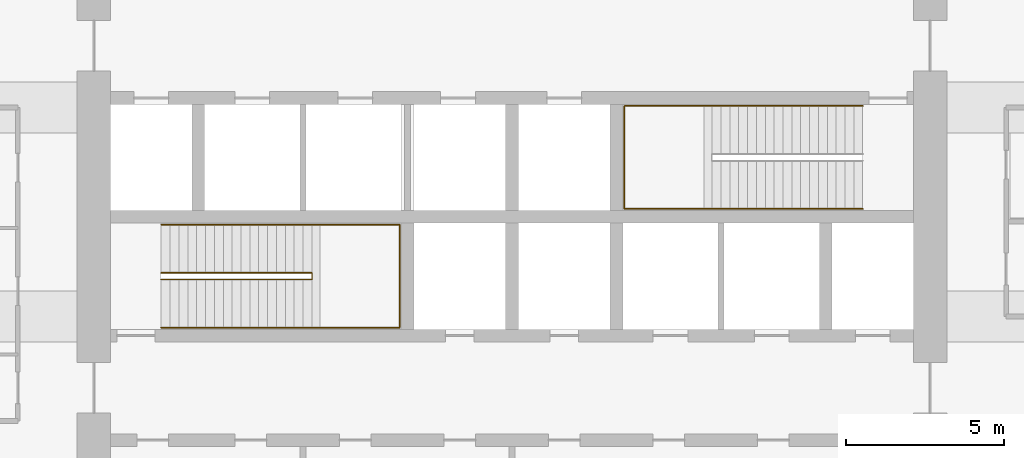
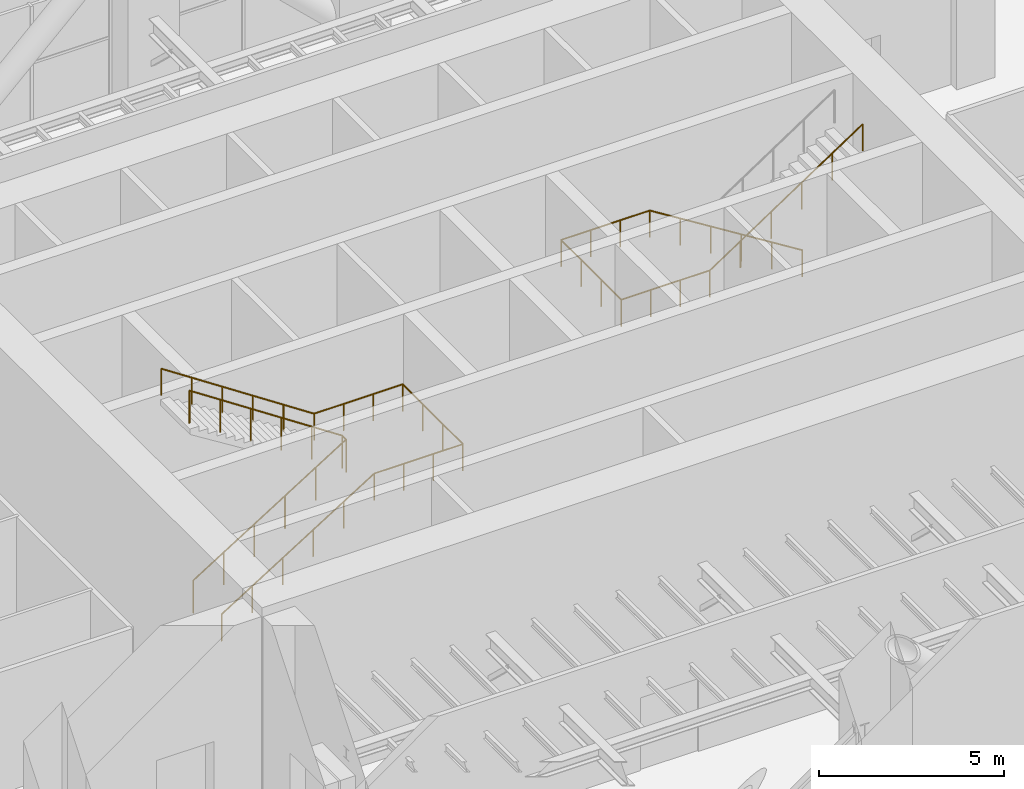
# One storey, part 14 of 15: 3 railings.
"""IFC4 building model written with IfcOpenShell, lengths in metres."""

from ifc_helpers import new_model, si_unit, direction, frame, origin, place, context, subcontext, project, spatial, polyline, outline, extrude, material, type_object, element, save


model = new_model("IFC4")

# Units and contexts
model_context = context("Model", 3, precision=1e-05, world=origin(), true_north=direction((0.0, 1.0)))
body_context = subcontext(model_context, "Body", "Model", "MODEL_VIEW")
ifc_project = project(units=[si_unit("LENGTHUNIT", "METRE"), si_unit("AREAUNIT", "SQUARE_METRE"), si_unit("VOLUMEUNIT", "CUBIC_METRE"), si_unit("PLANEANGLEUNIT", "RADIAN"), si_unit("MASSUNIT", "GRAM", prefix="KILO")], contexts=[model_context])

# Site, building, storey
site_placement = place(None, origin())
site = spatial("IfcSite", under=ifc_project, at=site_placement, CompositionType="ELEMENT")
building_placement = place(site_placement, origin())
building = spatial("IfcBuilding", under=site, at=building_placement, Name="Cobogo Forest Laboratory Tower", CompositionType="ELEMENT")
storey_placement = place(building_placement, frame((0.0, 0.0, 222.89990234375)))
storey = spatial("IfcBuildingStorey", under=building, at=storey_placement, Name="L51", CompositionType="ELEMENT", Elevation=222.89990234375)

# Railings
ifc_material_1 = material(Name="Steel balustrade", Category="steel")
railing_type_1 = type_object("IfcRailingType", Name="GR stair guard 1100", PredefinedType="GUARDRAIL", material=ifc_material_1)
railing_1_placement = place(storey_placement, frame((15.324951171875, 20.969970703125, 0.175048828125)))
element("IfcRailing", 1, at=railing_1_placement, inside=storey, type_object=railing_type_1, Name="Stair guard ST1 L51", PredefinedType="GUARDRAIL", context=body_context, shape_type="SweptSolid", body=[
    extrude(outline(polyline([(0.022216796875, 0.00927734375), (0.00927734375, 0.022216796875), (-0.00927734375, 0.022216796875), (-0.022216796875, 0.00927734375), (-0.022216796875, -0.00927734375), (-0.00927734375, -0.022216796875), (0.00927734375, -0.022216796875), (0.022216796875, -0.00927734375), (0.022216796875, 0.00927734375)])), frame((0.0, 0.0, 1.077880859375), z_axis=(0.847990973574, 0.0, 0.530010668512), x_axis=(0.0, 1.0, 0.0)), (0.0, 0.0, 1.0), 5.61328125),
    extrude(outline(polyline([(0.022216796875, 0.00927734375), (0.00927734375, 0.022216796875), (-0.00927734375, 0.022216796875), (-0.022216796875, 0.00927734375), (-0.022216796875, -0.00927734375), (-0.00927734375, -0.022216796875), (0.00927734375, -0.022216796875), (0.022216796875, -0.00927734375), (0.022216796875, 0.00927734375)])), frame((4.760009765625, 0.0, 4.052978515625), z_axis=(0.0, 1.0, 0.0), x_axis=(-1.0, 0.0, 0.0)), (0.0, 0.0, 1.0), 0.2099609375),
    extrude(outline(polyline([(0.022216796875, 0.00927734375), (0.00927734375, 0.022216796875), (-0.00927734375, 0.022216796875), (-0.022216796875, 0.00927734375), (-0.022216796875, -0.00927734375), (-0.00927734375, -0.022216796875), (0.00927734375, -0.022216796875), (0.022216796875, -0.00927734375), (0.022216796875, 0.00927734375)])), frame((4.760009765625, 0.2099609375, 4.052978515625), z_axis=(-0.833940600646, 0.0, 0.551854214983), x_axis=(0.0, -1.0, 0.0)), (0.0, 0.0, 1.0), 5.707763671875),
    extrude(outline(polyline([(0.019287109375, 0.008056640625), (0.008056640625, 0.019287109375), (-0.008056640625, 0.019287109375), (-0.019287109375, 0.008056640625), (-0.019287109375, -0.008056640625), (-0.008056640625, -0.019287109375), (0.008056640625, -0.019287109375), (0.019287109375, -0.008056640625), (0.019287109375, 0.008056640625)])), origin(), (0.0, 0.0, 1.0), 1.077880859375),
    extrude(outline(polyline([(0.019287109375, 0.008056640625), (0.008056640625, 0.019287109375), (-0.008056640625, 0.019287109375), (-0.019287109375, 0.008056640625), (-0.019287109375, -0.008056640625), (-0.008056640625, -0.019287109375), (0.008056640625, -0.019287109375), (0.019287109375, -0.008056640625), (0.019287109375, 0.008056640625)])), frame((0.951904296875, 0.0, 0.594970703125)), (0.0, 0.0, 1.0), 1.077880859375),
    extrude(outline(polyline([(0.019287109375, 0.008056640625), (0.008056640625, 0.019287109375), (-0.008056640625, 0.019287109375), (-0.019287109375, 0.008056640625), (-0.019287109375, -0.008056640625), (-0.008056640625, -0.019287109375), (0.008056640625, -0.019287109375), (0.019287109375, -0.008056640625), (0.019287109375, 0.008056640625)])), frame((1.904052734375, 0.0, 1.18994140625)), (0.0, 0.0, 1.0), 1.077880859375),
    extrude(outline(polyline([(0.019287109375, 0.008056640625), (0.008056640625, 0.019287109375), (-0.008056640625, 0.019287109375), (-0.019287109375, 0.008056640625), (-0.019287109375, -0.008056640625), (-0.008056640625, -0.019287109375), (0.008056640625, -0.019287109375), (0.019287109375, -0.008056640625), (0.019287109375, 0.008056640625)])), frame((2.85595703125, 0.0, 1.78515625)), (0.0, 0.0, 1.0), 1.077880859375),
    extrude(outline(polyline([(0.019287109375, 0.008056640625), (0.008056640625, 0.019287109375), (-0.008056640625, 0.019287109375), (-0.019287109375, 0.008056640625), (-0.019287109375, -0.008056640625), (-0.008056640625, -0.019287109375), (0.008056640625, -0.019287109375), (0.019287109375, -0.008056640625), (0.019287109375, 0.008056640625)])), frame((3.80810546875, 0.0, 2.380126953125)), (0.0, 0.0, 1.0), 1.077880859375),
    extrude(outline(polyline([(0.019287109375, 0.008056640625), (0.008056640625, 0.019287109375), (-0.008056640625, 0.019287109375), (-0.019287109375, 0.008056640625), (-0.019287109375, -0.008056640625), (-0.008056640625, -0.019287109375), (0.008056640625, -0.019287109375), (0.019287109375, -0.008056640625), (0.019287109375, 0.008056640625)])), frame((4.760009765625, 0.0, 2.97509765625)), (0.0, 0.0, 1.0), 1.077880859375),
    extrude(outline(polyline([(0.019287109375, 0.008056640625), (0.008056640625, 0.019287109375), (-0.008056640625, 0.019287109375), (-0.019287109375, 0.008056640625), (-0.019287109375, -0.008056640625), (-0.008056640625, -0.019287109375), (0.008056640625, -0.019287109375), (0.019287109375, -0.008056640625), (0.019287109375, 0.008056640625)])), frame((4.760009765625, 0.2099609375, 2.97509765625)), (0.0, 0.0, 1.0), 1.077880859375),
    extrude(outline(polyline([(0.019287109375, 0.008056640625), (0.008056640625, 0.019287109375), (-0.008056640625, 0.019287109375), (-0.019287109375, 0.008056640625), (-0.019287109375, -0.008056640625), (-0.008056640625, -0.019287109375), (0.008056640625, -0.019287109375), (0.019287109375, -0.008056640625), (0.019287109375, 0.008056640625)])), frame((3.80810546875, 0.2099609375, 3.60498046875)), (0.0, 0.0, 1.0), 1.077880859375),
    extrude(outline(polyline([(0.019287109375, 0.008056640625), (0.008056640625, 0.019287109375), (-0.008056640625, 0.019287109375), (-0.019287109375, 0.008056640625), (-0.019287109375, -0.008056640625), (-0.008056640625, -0.019287109375), (0.008056640625, -0.019287109375), (0.019287109375, -0.008056640625), (0.019287109375, 0.008056640625)])), frame((2.85595703125, 0.2099609375, 4.235107421875)), (0.0, 0.0, 1.0), 1.077880859375),
    extrude(outline(polyline([(0.019287109375, 0.008056640625), (0.008056640625, 0.019287109375), (-0.008056640625, 0.019287109375), (-0.019287109375, 0.008056640625), (-0.019287109375, -0.008056640625), (-0.008056640625, -0.019287109375), (0.008056640625, -0.019287109375), (0.019287109375, -0.008056640625), (0.019287109375, 0.008056640625)])), frame((1.904052734375, 0.2099609375, 4.864990234375)), (0.0, 0.0, 1.0), 1.077880859375),
    extrude(outline(polyline([(0.019287109375, 0.008056640625), (0.008056640625, 0.019287109375), (-0.008056640625, 0.019287109375), (-0.019287109375, 0.008056640625), (-0.019287109375, -0.008056640625), (-0.008056640625, -0.019287109375), (0.008056640625, -0.019287109375), (0.019287109375, -0.008056640625), (0.019287109375, 0.008056640625)])), frame((0.951904296875, 0.2099609375, 5.4951171875)), (0.0, 0.0, 1.0), 1.077880859375),
    extrude(outline(polyline([(0.019287109375, 0.008056640625), (0.008056640625, 0.019287109375), (-0.008056640625, 0.019287109375), (-0.019287109375, 0.008056640625), (-0.019287109375, -0.008056640625), (-0.008056640625, -0.019287109375), (0.008056640625, -0.019287109375), (0.019287109375, -0.008056640625), (0.019287109375, 0.008056640625)])), frame((0.0, 0.2099609375, 6.125)), (0.0, 0.0, 1.0), 1.077880859375),
])
ifc_material_2 = material(Name="Stainless steel handrail", Category="steel")
railing_type_2 = type_object("IfcRailingType", Name="HR handrail 900", PredefinedType="HANDRAIL", material=ifc_material_2)
railing_2_placement = place(storey_placement, frame((15.324951171875, 19.449951171875, 0.175048828125)))
element("IfcRailing", 2, at=railing_2_placement, inside=storey, type_object=railing_type_2, Name="Stair handrail ST1 L51", PredefinedType="HANDRAIL", context=body_context, shape_type="SweptSolid", body=[
    extrude(outline(polyline([(0.022216796875, 0.00927734375), (0.00927734375, 0.022216796875), (-0.00927734375, 0.022216796875), (-0.022216796875, 0.00927734375), (-0.022216796875, -0.00927734375), (-0.00927734375, -0.022216796875), (0.00927734375, -0.022216796875), (0.022216796875, -0.00927734375), (0.022216796875, 0.00927734375)])), frame((0.0, 0.0, 0.877685546875), z_axis=(0.847990973574, 0.0, 0.530010668512), x_axis=(0.0, 1.0, 0.0)), (0.0, 0.0, 1.0), 5.61328125),
    extrude(outline(polyline([(0.022216796875, 0.00927734375), (0.00927734375, 0.022216796875), (-0.00927734375, 0.022216796875), (-0.022216796875, 0.00927734375), (-0.022216796875, -0.00927734375), (-0.00927734375, -0.022216796875), (0.00927734375, -0.022216796875), (0.022216796875, -0.00927734375), (0.022216796875, 0.00927734375)])), frame((4.760009765625, 0.0, 3.852783203125), z_axis=(1.0, 0.0, 0.0), x_axis=(0.0, 1.0, 0.0)), (0.0, 0.0, 1.0), 2.76513671875),
    extrude(outline(polyline([(0.022216796875, 0.00927734375), (0.00927734375, 0.022216796875), (-0.00927734375, 0.022216796875), (-0.022216796875, 0.00927734375), (-0.022216796875, -0.00927734375), (-0.00927734375, -0.022216796875), (0.00927734375, -0.022216796875), (0.022216796875, -0.00927734375), (0.022216796875, 0.00927734375)])), frame((7.525146484375, 0.0, 3.852783203125), z_axis=(0.0, 1.0, 0.0), x_axis=(-1.0, 0.0, 0.0)), (0.0, 0.0, 1.0), 3.25),
    extrude(outline(polyline([(0.022216796875, 0.00927734375), (0.00927734375, 0.022216796875), (-0.00927734375, 0.022216796875), (-0.022216796875, 0.00927734375), (-0.022216796875, -0.00927734375), (-0.00927734375, -0.022216796875), (0.00927734375, -0.022216796875), (0.022216796875, -0.00927734375), (0.022216796875, 0.00927734375)])), frame((7.525146484375, 3.25, 3.852783203125), z_axis=(-1.0, 0.0, 0.0), x_axis=(0.0, -1.0, 0.0)), (0.0, 0.0, 1.0), 2.76513671875),
    extrude(outline(polyline([(0.022216796875, 0.00927734375), (0.00927734375, 0.022216796875), (-0.00927734375, 0.022216796875), (-0.022216796875, 0.00927734375), (-0.022216796875, -0.00927734375), (-0.00927734375, -0.022216796875), (0.00927734375, -0.022216796875), (0.022216796875, -0.00927734375), (0.022216796875, 0.00927734375)])), frame((4.760009765625, 3.25, 3.852783203125), z_axis=(-0.833940600646, 0.0, 0.551854214983), x_axis=(0.0, -1.0, 0.0)), (0.0, 0.0, 1.0), 5.707763671875),
    extrude(outline(polyline([(0.019287109375, 0.008056640625), (0.008056640625, 0.019287109375), (-0.008056640625, 0.019287109375), (-0.019287109375, 0.008056640625), (-0.019287109375, -0.008056640625), (-0.008056640625, -0.019287109375), (0.008056640625, -0.019287109375), (0.019287109375, -0.008056640625), (0.019287109375, 0.008056640625)])), origin(), (0.0, 0.0, 1.0), 0.877685546875),
    extrude(outline(polyline([(0.019287109375, 0.008056640625), (0.008056640625, 0.019287109375), (-0.008056640625, 0.019287109375), (-0.019287109375, 0.008056640625), (-0.019287109375, -0.008056640625), (-0.008056640625, -0.019287109375), (0.008056640625, -0.019287109375), (0.019287109375, -0.008056640625), (0.019287109375, 0.008056640625)])), frame((0.951904296875, 0.0, 0.594970703125)), (0.0, 0.0, 1.0), 0.877685546875),
    extrude(outline(polyline([(0.019287109375, 0.008056640625), (0.008056640625, 0.019287109375), (-0.008056640625, 0.019287109375), (-0.019287109375, 0.008056640625), (-0.019287109375, -0.008056640625), (-0.008056640625, -0.019287109375), (0.008056640625, -0.019287109375), (0.019287109375, -0.008056640625), (0.019287109375, 0.008056640625)])), frame((1.904052734375, 0.0, 1.18994140625)), (0.0, 0.0, 1.0), 0.877685546875),
    extrude(outline(polyline([(0.019287109375, 0.008056640625), (0.008056640625, 0.019287109375), (-0.008056640625, 0.019287109375), (-0.019287109375, 0.008056640625), (-0.019287109375, -0.008056640625), (-0.008056640625, -0.019287109375), (0.008056640625, -0.019287109375), (0.019287109375, -0.008056640625), (0.019287109375, 0.008056640625)])), frame((2.85595703125, 0.0, 1.78515625)), (0.0, 0.0, 1.0), 0.877685546875),
    extrude(outline(polyline([(0.019287109375, 0.008056640625), (0.008056640625, 0.019287109375), (-0.008056640625, 0.019287109375), (-0.019287109375, 0.008056640625), (-0.019287109375, -0.008056640625), (-0.008056640625, -0.019287109375), (0.008056640625, -0.019287109375), (0.019287109375, -0.008056640625), (0.019287109375, 0.008056640625)])), frame((3.80810546875, 0.0, 2.380126953125)), (0.0, 0.0, 1.0), 0.877685546875),
    extrude(outline(polyline([(0.019287109375, 0.008056640625), (0.008056640625, 0.019287109375), (-0.008056640625, 0.019287109375), (-0.019287109375, 0.008056640625), (-0.019287109375, -0.008056640625), (-0.008056640625, -0.019287109375), (0.008056640625, -0.019287109375), (0.019287109375, -0.008056640625), (0.019287109375, 0.008056640625)])), frame((4.760009765625, 0.0, 2.97509765625)), (0.0, 0.0, 1.0), 0.877685546875),
    extrude(outline(polyline([(0.019287109375, 0.008056640625), (0.008056640625, 0.019287109375), (-0.008056640625, 0.019287109375), (-0.019287109375, 0.008056640625), (-0.019287109375, -0.008056640625), (-0.008056640625, -0.019287109375), (0.008056640625, -0.019287109375), (0.019287109375, -0.008056640625), (0.019287109375, 0.008056640625)])), frame((5.681640625, 0.0, 2.97509765625)), (0.0, 0.0, 1.0), 0.877685546875),
    extrude(outline(polyline([(0.019287109375, 0.008056640625), (0.008056640625, 0.019287109375), (-0.008056640625, 0.019287109375), (-0.019287109375, 0.008056640625), (-0.019287109375, -0.008056640625), (-0.008056640625, -0.019287109375), (0.008056640625, -0.019287109375), (0.019287109375, -0.008056640625), (0.019287109375, 0.008056640625)])), frame((6.603515625, 0.0, 2.97509765625)), (0.0, 0.0, 1.0), 0.877685546875),
    extrude(outline(polyline([(0.019287109375, 0.008056640625), (0.008056640625, 0.019287109375), (-0.008056640625, 0.019287109375), (-0.019287109375, 0.008056640625), (-0.019287109375, -0.008056640625), (-0.008056640625, -0.019287109375), (0.008056640625, -0.019287109375), (0.019287109375, -0.008056640625), (0.019287109375, 0.008056640625)])), frame((7.525146484375, 0.0, 2.97509765625)), (0.0, 0.0, 1.0), 0.877685546875),
    extrude(outline(polyline([(0.019287109375, 0.008056640625), (0.008056640625, 0.019287109375), (-0.008056640625, 0.019287109375), (-0.019287109375, 0.008056640625), (-0.019287109375, -0.008056640625), (-0.008056640625, -0.019287109375), (0.008056640625, -0.019287109375), (0.019287109375, -0.008056640625), (0.019287109375, 0.008056640625)])), frame((7.525146484375, 1.083251953125, 2.97509765625)), (0.0, 0.0, 1.0), 0.877685546875),
    extrude(outline(polyline([(0.019287109375, 0.008056640625), (0.008056640625, 0.019287109375), (-0.008056640625, 0.019287109375), (-0.019287109375, 0.008056640625), (-0.019287109375, -0.008056640625), (-0.008056640625, -0.019287109375), (0.008056640625, -0.019287109375), (0.019287109375, -0.008056640625), (0.019287109375, 0.008056640625)])), frame((7.525146484375, 2.166748046875, 2.97509765625)), (0.0, 0.0, 1.0), 0.877685546875),
    extrude(outline(polyline([(0.019287109375, 0.008056640625), (0.008056640625, 0.019287109375), (-0.008056640625, 0.019287109375), (-0.019287109375, 0.008056640625), (-0.019287109375, -0.008056640625), (-0.008056640625, -0.019287109375), (0.008056640625, -0.019287109375), (0.019287109375, -0.008056640625), (0.019287109375, 0.008056640625)])), frame((7.525146484375, 3.25, 2.97509765625)), (0.0, 0.0, 1.0), 0.877685546875),
    extrude(outline(polyline([(0.019287109375, 0.008056640625), (0.008056640625, 0.019287109375), (-0.008056640625, 0.019287109375), (-0.019287109375, 0.008056640625), (-0.019287109375, -0.008056640625), (-0.008056640625, -0.019287109375), (0.008056640625, -0.019287109375), (0.019287109375, -0.008056640625), (0.019287109375, 0.008056640625)])), frame((6.603515625, 3.25, 2.97509765625)), (0.0, 0.0, 1.0), 0.877685546875),
    extrude(outline(polyline([(0.019287109375, 0.008056640625), (0.008056640625, 0.019287109375), (-0.008056640625, 0.019287109375), (-0.019287109375, 0.008056640625), (-0.019287109375, -0.008056640625), (-0.008056640625, -0.019287109375), (0.008056640625, -0.019287109375), (0.019287109375, -0.008056640625), (0.019287109375, 0.008056640625)])), frame((5.681640625, 3.25, 2.97509765625)), (0.0, 0.0, 1.0), 0.877685546875),
    extrude(outline(polyline([(0.019287109375, 0.008056640625), (0.008056640625, 0.019287109375), (-0.008056640625, 0.019287109375), (-0.019287109375, 0.008056640625), (-0.019287109375, -0.008056640625), (-0.008056640625, -0.019287109375), (0.008056640625, -0.019287109375), (0.019287109375, -0.008056640625), (0.019287109375, 0.008056640625)])), frame((4.760009765625, 3.25, 2.97509765625)), (0.0, 0.0, 1.0), 0.877685546875),
    extrude(outline(polyline([(0.019287109375, 0.008056640625), (0.008056640625, 0.019287109375), (-0.008056640625, 0.019287109375), (-0.019287109375, 0.008056640625), (-0.019287109375, -0.008056640625), (-0.008056640625, -0.019287109375), (0.008056640625, -0.019287109375), (0.019287109375, -0.008056640625), (0.019287109375, 0.008056640625)])), frame((3.80810546875, 3.25, 3.60498046875)), (0.0, 0.0, 1.0), 0.877685546875),
    extrude(outline(polyline([(0.019287109375, 0.008056640625), (0.008056640625, 0.019287109375), (-0.008056640625, 0.019287109375), (-0.019287109375, 0.008056640625), (-0.019287109375, -0.008056640625), (-0.008056640625, -0.019287109375), (0.008056640625, -0.019287109375), (0.019287109375, -0.008056640625), (0.019287109375, 0.008056640625)])), frame((2.85595703125, 3.25, 4.235107421875)), (0.0, 0.0, 1.0), 0.877685546875),
    extrude(outline(polyline([(0.019287109375, 0.008056640625), (0.008056640625, 0.019287109375), (-0.008056640625, 0.019287109375), (-0.019287109375, 0.008056640625), (-0.019287109375, -0.008056640625), (-0.008056640625, -0.019287109375), (0.008056640625, -0.019287109375), (0.019287109375, -0.008056640625), (0.019287109375, 0.008056640625)])), frame((1.904052734375, 3.25, 4.864990234375)), (0.0, 0.0, 1.0), 0.877685546875),
    extrude(outline(polyline([(0.019287109375, 0.008056640625), (0.008056640625, 0.019287109375), (-0.008056640625, 0.019287109375), (-0.019287109375, 0.008056640625), (-0.019287109375, -0.008056640625), (-0.008056640625, -0.019287109375), (0.008056640625, -0.019287109375), (0.019287109375, -0.008056640625), (0.019287109375, 0.008056640625)])), frame((0.951904296875, 3.25, 5.4951171875)), (0.0, 0.0, 1.0), 0.877685546875),
    extrude(outline(polyline([(0.019287109375, 0.008056640625), (0.008056640625, 0.019287109375), (-0.008056640625, 0.019287109375), (-0.019287109375, 0.008056640625), (-0.019287109375, -0.008056640625), (-0.008056640625, -0.019287109375), (0.008056640625, -0.019287109375), (0.019287109375, -0.008056640625), (0.019287109375, 0.008056640625)])), frame((0.0, 3.25, 6.125)), (0.0, 0.0, 1.0), 0.877685546875),
])
railing_3_placement = place(storey_placement, frame((37.47509765625, 26.449951171875, 0.175048828125)))
element("IfcRailing", 3, at=railing_3_placement, inside=storey, type_object=railing_type_2, Name="Stair handrail ST2 L51", PredefinedType="HANDRAIL", context=body_context, shape_type="SweptSolid", body=[
    extrude(outline(polyline([(0.022216796875, 0.00927734375), (0.00927734375, 0.022216796875), (-0.00927734375, 0.022216796875), (-0.022216796875, 0.00927734375), (-0.022216796875, -0.00927734375), (-0.00927734375, -0.022216796875), (0.00927734375, -0.022216796875), (0.022216796875, -0.00927734375), (0.022216796875, 0.00927734375)])), frame((0.0, 0.0, 0.877685546875), z_axis=(-0.847990973574, 0.0, 0.530010668512), x_axis=(0.0, -1.0, 0.0)), (0.0, 0.0, 1.0), 5.61328125),
    extrude(outline(polyline([(0.022216796875, 0.00927734375), (0.00927734375, 0.022216796875), (-0.00927734375, 0.022216796875), (-0.022216796875, 0.00927734375), (-0.022216796875, -0.00927734375), (-0.00927734375, -0.022216796875), (0.00927734375, -0.022216796875), (0.022216796875, -0.00927734375), (0.022216796875, 0.00927734375)])), frame((-4.760009765625, 0.0, 3.852783203125), z_axis=(-1.0, 0.0, 0.0), x_axis=(0.0, -1.0, 0.0)), (0.0, 0.0, 1.0), 2.76513671875),
    extrude(outline(polyline([(0.022216796875, 0.00927734375), (0.00927734375, 0.022216796875), (-0.00927734375, 0.022216796875), (-0.022216796875, 0.00927734375), (-0.022216796875, -0.00927734375), (-0.00927734375, -0.022216796875), (0.00927734375, -0.022216796875), (0.022216796875, -0.00927734375), (0.022216796875, 0.00927734375)])), frame((-7.525146484375, 0.0, 3.852783203125), z_axis=(0.0, -1.0, 0.0), x_axis=(1.0, 0.0, 0.0)), (0.0, 0.0, 1.0), 3.25),
    extrude(outline(polyline([(0.022216796875, 0.00927734375), (0.00927734375, 0.022216796875), (-0.00927734375, 0.022216796875), (-0.022216796875, 0.00927734375), (-0.022216796875, -0.00927734375), (-0.00927734375, -0.022216796875), (0.00927734375, -0.022216796875), (0.022216796875, -0.00927734375), (0.022216796875, 0.00927734375)])), frame((-7.525146484375, -3.25, 3.852783203125), z_axis=(1.0, 0.0, 0.0), x_axis=(0.0, 1.0, 0.0)), (0.0, 0.0, 1.0), 2.76513671875),
    extrude(outline(polyline([(0.022216796875, 0.00927734375), (0.00927734375, 0.022216796875), (-0.00927734375, 0.022216796875), (-0.022216796875, 0.00927734375), (-0.022216796875, -0.00927734375), (-0.00927734375, -0.022216796875), (0.00927734375, -0.022216796875), (0.022216796875, -0.00927734375), (0.022216796875, 0.00927734375)])), frame((-4.760009765625, -3.25, 3.852783203125), z_axis=(0.833940600646, 0.0, 0.551854214983), x_axis=(0.0, 1.0, 0.0)), (0.0, 0.0, 1.0), 5.707763671875),
    extrude(outline(polyline([(0.019287109375, 0.008056640625), (0.008056640625, 0.019287109375), (-0.008056640625, 0.019287109375), (-0.019287109375, 0.008056640625), (-0.019287109375, -0.008056640625), (-0.008056640625, -0.019287109375), (0.008056640625, -0.019287109375), (0.019287109375, -0.008056640625), (0.019287109375, 0.008056640625)])), origin(), (0.0, 0.0, 1.0), 0.877685546875),
    extrude(outline(polyline([(0.019287109375, 0.008056640625), (0.008056640625, 0.019287109375), (-0.008056640625, 0.019287109375), (-0.019287109375, 0.008056640625), (-0.019287109375, -0.008056640625), (-0.008056640625, -0.019287109375), (0.008056640625, -0.019287109375), (0.019287109375, -0.008056640625), (0.019287109375, 0.008056640625)])), frame((-0.951904296875, 0.0, 0.594970703125)), (0.0, 0.0, 1.0), 0.877685546875),
    extrude(outline(polyline([(0.019287109375, 0.008056640625), (0.008056640625, 0.019287109375), (-0.008056640625, 0.019287109375), (-0.019287109375, 0.008056640625), (-0.019287109375, -0.008056640625), (-0.008056640625, -0.019287109375), (0.008056640625, -0.019287109375), (0.019287109375, -0.008056640625), (0.019287109375, 0.008056640625)])), frame((-1.904052734375, 0.0, 1.18994140625)), (0.0, 0.0, 1.0), 0.877685546875),
    extrude(outline(polyline([(0.019287109375, 0.008056640625), (0.008056640625, 0.019287109375), (-0.008056640625, 0.019287109375), (-0.019287109375, 0.008056640625), (-0.019287109375, -0.008056640625), (-0.008056640625, -0.019287109375), (0.008056640625, -0.019287109375), (0.019287109375, -0.008056640625), (0.019287109375, 0.008056640625)])), frame((-2.85595703125, 0.0, 1.78515625)), (0.0, 0.0, 1.0), 0.877685546875),
    extrude(outline(polyline([(0.019287109375, 0.008056640625), (0.008056640625, 0.019287109375), (-0.008056640625, 0.019287109375), (-0.019287109375, 0.008056640625), (-0.019287109375, -0.008056640625), (-0.008056640625, -0.019287109375), (0.008056640625, -0.019287109375), (0.019287109375, -0.008056640625), (0.019287109375, 0.008056640625)])), frame((-3.80810546875, 0.0, 2.380126953125)), (0.0, 0.0, 1.0), 0.877685546875),
    extrude(outline(polyline([(0.019287109375, 0.008056640625), (0.008056640625, 0.019287109375), (-0.008056640625, 0.019287109375), (-0.019287109375, 0.008056640625), (-0.019287109375, -0.008056640625), (-0.008056640625, -0.019287109375), (0.008056640625, -0.019287109375), (0.019287109375, -0.008056640625), (0.019287109375, 0.008056640625)])), frame((-4.760009765625, 0.0, 2.97509765625)), (0.0, 0.0, 1.0), 0.877685546875),
    extrude(outline(polyline([(0.019287109375, 0.008056640625), (0.008056640625, 0.019287109375), (-0.008056640625, 0.019287109375), (-0.019287109375, 0.008056640625), (-0.019287109375, -0.008056640625), (-0.008056640625, -0.019287109375), (0.008056640625, -0.019287109375), (0.019287109375, -0.008056640625), (0.019287109375, 0.008056640625)])), frame((-5.681640625, 0.0, 2.97509765625)), (0.0, 0.0, 1.0), 0.877685546875),
    extrude(outline(polyline([(0.019287109375, 0.008056640625), (0.008056640625, 0.019287109375), (-0.008056640625, 0.019287109375), (-0.019287109375, 0.008056640625), (-0.019287109375, -0.008056640625), (-0.008056640625, -0.019287109375), (0.008056640625, -0.019287109375), (0.019287109375, -0.008056640625), (0.019287109375, 0.008056640625)])), frame((-6.603515625, 0.0, 2.97509765625)), (0.0, 0.0, 1.0), 0.877685546875),
    extrude(outline(polyline([(0.019287109375, 0.008056640625), (0.008056640625, 0.019287109375), (-0.008056640625, 0.019287109375), (-0.019287109375, 0.008056640625), (-0.019287109375, -0.008056640625), (-0.008056640625, -0.019287109375), (0.008056640625, -0.019287109375), (0.019287109375, -0.008056640625), (0.019287109375, 0.008056640625)])), frame((-7.525146484375, 0.0, 2.97509765625)), (0.0, 0.0, 1.0), 0.877685546875),
    extrude(outline(polyline([(0.019287109375, 0.008056640625), (0.008056640625, 0.019287109375), (-0.008056640625, 0.019287109375), (-0.019287109375, 0.008056640625), (-0.019287109375, -0.008056640625), (-0.008056640625, -0.019287109375), (0.008056640625, -0.019287109375), (0.019287109375, -0.008056640625), (0.019287109375, 0.008056640625)])), frame((-7.525146484375, -1.083251953125, 2.97509765625)), (0.0, 0.0, 1.0), 0.877685546875),
    extrude(outline(polyline([(0.019287109375, 0.008056640625), (0.008056640625, 0.019287109375), (-0.008056640625, 0.019287109375), (-0.019287109375, 0.008056640625), (-0.019287109375, -0.008056640625), (-0.008056640625, -0.019287109375), (0.008056640625, -0.019287109375), (0.019287109375, -0.008056640625), (0.019287109375, 0.008056640625)])), frame((-7.525146484375, -2.166748046875, 2.97509765625)), (0.0, 0.0, 1.0), 0.877685546875),
    extrude(outline(polyline([(0.019287109375, 0.008056640625), (0.008056640625, 0.019287109375), (-0.008056640625, 0.019287109375), (-0.019287109375, 0.008056640625), (-0.019287109375, -0.008056640625), (-0.008056640625, -0.019287109375), (0.008056640625, -0.019287109375), (0.019287109375, -0.008056640625), (0.019287109375, 0.008056640625)])), frame((-7.525146484375, -3.25, 2.97509765625)), (0.0, 0.0, 1.0), 0.877685546875),
    extrude(outline(polyline([(0.019287109375, 0.008056640625), (0.008056640625, 0.019287109375), (-0.008056640625, 0.019287109375), (-0.019287109375, 0.008056640625), (-0.019287109375, -0.008056640625), (-0.008056640625, -0.019287109375), (0.008056640625, -0.019287109375), (0.019287109375, -0.008056640625), (0.019287109375, 0.008056640625)])), frame((-6.603515625, -3.25, 2.97509765625)), (0.0, 0.0, 1.0), 0.877685546875),
    extrude(outline(polyline([(0.019287109375, 0.008056640625), (0.008056640625, 0.019287109375), (-0.008056640625, 0.019287109375), (-0.019287109375, 0.008056640625), (-0.019287109375, -0.008056640625), (-0.008056640625, -0.019287109375), (0.008056640625, -0.019287109375), (0.019287109375, -0.008056640625), (0.019287109375, 0.008056640625)])), frame((-5.681640625, -3.25, 2.97509765625)), (0.0, 0.0, 1.0), 0.877685546875),
    extrude(outline(polyline([(0.019287109375, 0.008056640625), (0.008056640625, 0.019287109375), (-0.008056640625, 0.019287109375), (-0.019287109375, 0.008056640625), (-0.019287109375, -0.008056640625), (-0.008056640625, -0.019287109375), (0.008056640625, -0.019287109375), (0.019287109375, -0.008056640625), (0.019287109375, 0.008056640625)])), frame((-4.760009765625, -3.25, 2.97509765625)), (0.0, 0.0, 1.0), 0.877685546875),
    extrude(outline(polyline([(0.019287109375, 0.008056640625), (0.008056640625, 0.019287109375), (-0.008056640625, 0.019287109375), (-0.019287109375, 0.008056640625), (-0.019287109375, -0.008056640625), (-0.008056640625, -0.019287109375), (0.008056640625, -0.019287109375), (0.019287109375, -0.008056640625), (0.019287109375, 0.008056640625)])), frame((-3.80810546875, -3.25, 3.60498046875)), (0.0, 0.0, 1.0), 0.877685546875),
    extrude(outline(polyline([(0.019287109375, 0.008056640625), (0.008056640625, 0.019287109375), (-0.008056640625, 0.019287109375), (-0.019287109375, 0.008056640625), (-0.019287109375, -0.008056640625), (-0.008056640625, -0.019287109375), (0.008056640625, -0.019287109375), (0.019287109375, -0.008056640625), (0.019287109375, 0.008056640625)])), frame((-2.85595703125, -3.25, 4.235107421875)), (0.0, 0.0, 1.0), 0.877685546875),
    extrude(outline(polyline([(0.019287109375, 0.008056640625), (0.008056640625, 0.019287109375), (-0.008056640625, 0.019287109375), (-0.019287109375, 0.008056640625), (-0.019287109375, -0.008056640625), (-0.008056640625, -0.019287109375), (0.008056640625, -0.019287109375), (0.019287109375, -0.008056640625), (0.019287109375, 0.008056640625)])), frame((-1.904052734375, -3.25, 4.864990234375)), (0.0, 0.0, 1.0), 0.877685546875),
    extrude(outline(polyline([(0.019287109375, 0.008056640625), (0.008056640625, 0.019287109375), (-0.008056640625, 0.019287109375), (-0.019287109375, 0.008056640625), (-0.019287109375, -0.008056640625), (-0.008056640625, -0.019287109375), (0.008056640625, -0.019287109375), (0.019287109375, -0.008056640625), (0.019287109375, 0.008056640625)])), frame((-0.951904296875, -3.25, 5.4951171875)), (0.0, 0.0, 1.0), 0.877685546875),
    extrude(outline(polyline([(0.019287109375, 0.008056640625), (0.008056640625, 0.019287109375), (-0.008056640625, 0.019287109375), (-0.019287109375, 0.008056640625), (-0.019287109375, -0.008056640625), (-0.008056640625, -0.019287109375), (0.008056640625, -0.019287109375), (0.019287109375, -0.008056640625), (0.019287109375, 0.008056640625)])), frame((0.0, -3.25, 6.125)), (0.0, 0.0, 1.0), 0.877685546875),
])

save(model, "model.ifc")
